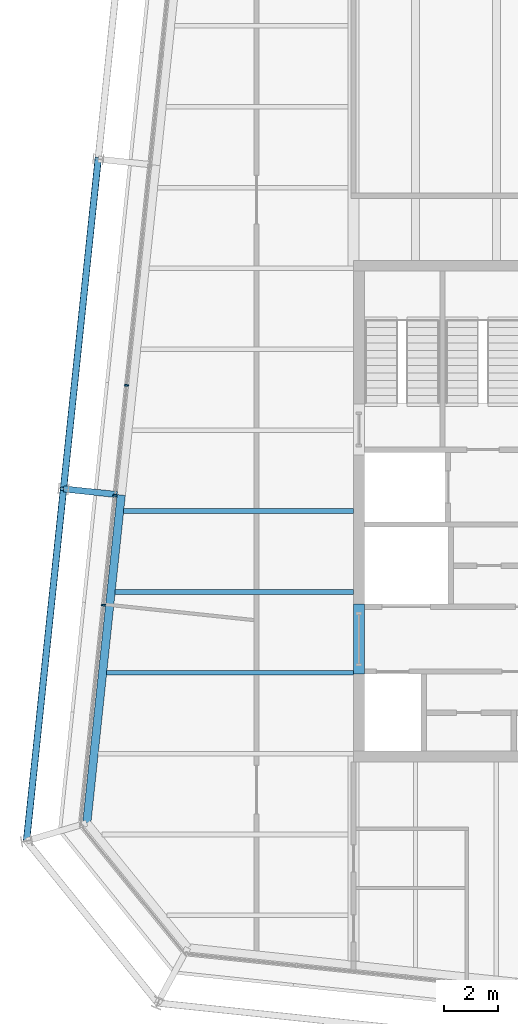
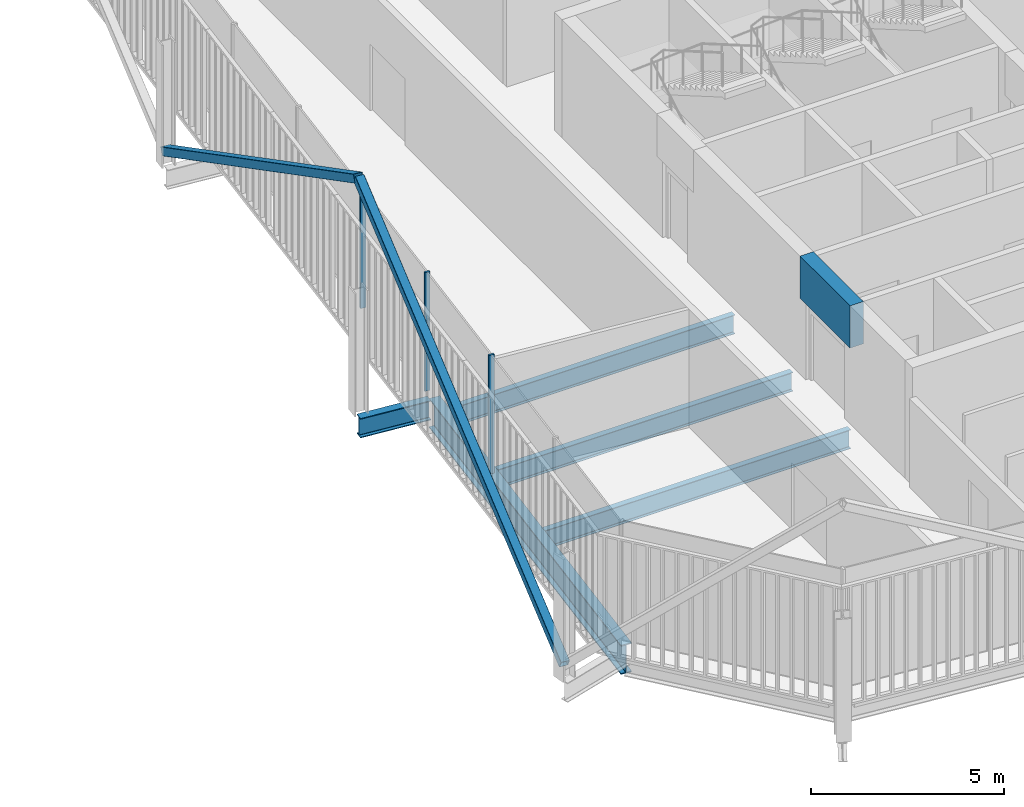
# One storey, part 6 of 21: 6 beams, 5 members, 1 element without a shape of its own.
"""IFC4 building model written with IfcOpenShell, lengths in metres."""

from ifc_helpers import new_model, si_unit, direction, frame, origin, origin_2d, place, context, subcontext, project, spatial, rectangle, hollow_rectangle, i_section, extrude, material, layer, layer_set, material_profile, profile_set, type_object, element, aggregate, save


model = new_model("IFC4")

# Units and contexts
model_context = context("Model", 3, precision=1e-05, world=origin(), true_north=direction((0.0, 1.0)))
body_context = subcontext(model_context, "Body", "Model", "MODEL_VIEW")
ifc_project = project(units=[si_unit("LENGTHUNIT", "METRE"), si_unit("AREAUNIT", "SQUARE_METRE"), si_unit("VOLUMEUNIT", "CUBIC_METRE"), si_unit("PLANEANGLEUNIT", "RADIAN"), si_unit("MASSUNIT", "GRAM", prefix="KILO")], contexts=[model_context])

# Site, building, storey
site_placement = place(None, origin())
site = spatial("IfcSite", under=ifc_project, at=site_placement, CompositionType="ELEMENT")
building_placement = place(site_placement, origin())
building = spatial("IfcBuilding", under=site, at=building_placement, Name="Millrace Tower", CompositionType="ELEMENT")
storey_placement = place(building_placement, frame((0.0, 0.0, 326.5)))
storey = spatial("IfcBuildingStorey", under=building, at=storey_placement, Name="L75", CompositionType="ELEMENT", Elevation=326.5)

# Curtain wall, members
ifc_material_1 = material(Name="Aluminium and glass", Category="aluminium")
ifc_layer = layer(ifc_material_1, 0.14990234375)
ifc_layer_set = layer_set([ifc_layer], Name="Aluminium and glass")
curtain_wall_type = type_object("IfcCurtainWallType", Name="CW-1 office vision curtain wall", PredefinedType="NOTDEFINED", material=ifc_layer_set)
curtain_wall_placement = place(storey_placement, origin())
curtain_wall = element("IfcCurtainWall", 1, at=curtain_wall_placement, inside=storey, type_object=curtain_wall_type, Name="Curtain wall E-F08 L75", PredefinedType="NOTDEFINED")
ifc_material_2 = material(Name="Aluminium", Category="aluminium")
ifc_material_profile_1 = material_profile(ifc_material_2, rectangle(XDim=0.06494140625, YDim=0.14990234375, at=origin_2d()))
ifc_profile_set_1 = profile_set([ifc_material_profile_1], Name="Aluminium")
member_type_1 = type_object("IfcMemberType", Name="CW-1 office vision curtain wall mullion", PredefinedType="MULLION", material=ifc_profile_set_1)
member_1_placement = place(storey_placement, frame((-22.717529296875, 4.664794921875, 0.139892578125), z_axis=(0.0, 0.0, 1.0), x_axis=(-0.104528455196, -0.994521896217, 0.0)))
member_1 = element("IfcMember", 2, at=member_1_placement, type_object=member_type_1, Name="CW1 mullion E-F08.6", PredefinedType="MULLION", context=body_context, shape_type="SweptSolid", body=[
    extrude(rectangle(XDim=0.06494140625, YDim=0.14990234375, at=origin_2d()), origin(), (0.0, 0.0, 1.0), 3.760009765625),
])
member_2_placement = place(storey_placement, frame((-23.146240234375, 0.587158203125, 0.139892578125), z_axis=(0.0, 0.0, 1.0), x_axis=(-0.104528455196, -0.994521896217, 0.0)))
member_2 = element("IfcMember", 3, at=member_2_placement, type_object=member_type_1, Name="CW1 mullion E-F08.7", PredefinedType="MULLION", context=body_context, shape_type="SweptSolid", body=[
    extrude(rectangle(XDim=0.06494140625, YDim=0.14990234375, at=origin_2d()), origin(), (0.0, 0.0, 1.0), 3.760009765625),
])
member_3_placement = place(storey_placement, frame((-23.57470703125, -3.490234375, 0.139892578125), z_axis=(0.0, 0.0, 1.0), x_axis=(-0.104528455196, -0.994521896217, 0.0)))
member_3 = element("IfcMember", 4, at=member_3_placement, type_object=member_type_1, Name="CW1 mullion E-F08.8", PredefinedType="MULLION", context=body_context, shape_type="SweptSolid", body=[
    extrude(rectangle(XDim=0.06494140625, YDim=0.14990234375, at=origin_2d()), origin(), (0.0, 0.0, 1.0), 3.760009765625),
])
aggregate(curtain_wall, [member_1, member_2, member_3])

# Beam
ifc_material_3 = material(Name="Concrete C60", Category="concrete")
ifc_material_profile_2 = material_profile(ifc_material_3, rectangle(XDim=0.39990234375, YDim=1.340087890625, at=origin_2d()))
ifc_profile_set_2 = profile_set([ifc_material_profile_2], Name="Concrete C60")
beam_type_1 = type_object("IfcBeamType", Name="Coupling beam 400 x 1340 Concrete C60, 2000 opening", PredefinedType="BEAM", material=ifc_profile_set_2)
beam_1_placement = place(storey_placement, frame((-14.10009765625, -6.050048828125, 3.070068359375), z_axis=(0.0, 1.0, 0.0), x_axis=(-1.0, 0.0, 0.0)))
element("IfcBeam", 5, at=beam_1_placement, inside=storey, type_object=beam_type_1, Name="Coupling beam W L75", PredefinedType="BEAM", context=body_context, shape_type="SweptSolid", body=[
    extrude(rectangle(XDim=0.39990234375, YDim=1.340087890625, at=origin_2d()), origin(), (0.0, 0.0, 1.0), 2.60009765625),
])

# Members
ifc_material_4 = material(Name="Steel ASTM A500 Grade C", Category="steel")
ifc_material_profile_3 = material_profile(ifc_material_4, hollow_rectangle(XDim=0.25390625, YDim=0.25390625, WallThickness=0.009521484375, InnerFilletRadius=0.004638671875, OuterFilletRadius=0.014404296875, at=origin_2d()))
ifc_profile_set_3 = profile_set([ifc_material_profile_3], Name="Steel ASTM A500 Grade C")
member_type_2 = type_object("IfcMemberType", Name="Exoskeleton brace HSS10x10x3/8", PredefinedType="BRACE", material=ifc_profile_set_3)
member_4_placement = place(storey_placement, frame((-23.771484375, 13.053466796875, 0.39990234375), z_axis=(-0.090859841027, -0.864350167962, 0.494614270348), x_axis=(0.994520342986, -0.104543232143, 0.0)))
element("IfcMember", 6, at=member_4_placement, inside=storey, type_object=member_type_2, Name="BRC-E-L75-15", PredefinedType="BRACE", context=body_context, shape_type="SweptSolid", body=[
    extrude(hollow_rectangle(XDim=0.25390625, YDim=0.25390625, WallThickness=0.009521484375, InnerFilletRadius=0.004638671875, OuterFilletRadius=0.014404296875, at=origin_2d()), origin(), (0.0, 0.0, 1.0), 14.15234375),
])
member_5_placement = place(storey_placement, frame((-26.429443359375, -12.23583984375, 0.39990234375), z_axis=(0.092220680702, 0.877573310314, 0.47048956532), x_axis=(-0.994523779096, 0.104510539239, 0.0)))
element("IfcMember", 7, at=member_5_placement, inside=storey, type_object=member_type_2, Name="BRC-E-L75-16", PredefinedType="BRACE", context=body_context, shape_type="SweptSolid", body=[
    extrude(hollow_rectangle(XDim=0.25390625, YDim=0.25390625, WallThickness=0.009521484375, InnerFilletRadius=0.004638671875, OuterFilletRadius=0.014404296875, at=origin_2d()), origin(), (0.0, 0.0, 1.0), 14.878173828125),
])

# Beams
ifc_material_5 = material(Name="Steel ASTM A992 Grade 50", Category="steel")
ifc_material_profile_4 = material_profile(ifc_material_5, i_section(OverallWidth=0.177978515625, OverallDepth=0.599365234375, WebThickness=0.010009765625, FlangeThickness=0.012939453125, FilletRadius=0.012939453125, at=origin_2d()))
ifc_profile_set_4 = profile_set([ifc_material_profile_4], Name="Steel ASTM A992 Grade 50")
beam_type_2 = type_object("IfcBeamType", Name="Floor beam W24x55", PredefinedType="JOIST", material=ifc_profile_set_4)
beam_2_placement = place(storey_placement, frame((-23.4541015625, -6.0, -0.459716796875), z_axis=(1.0, 0.0, 0.0), x_axis=(0.0, 1.0, 0.0)))
element("IfcBeam", 8, at=beam_2_placement, inside=storey, type_object=beam_type_2, Name="BM-E-L75-S1-S009", PredefinedType="JOIST", context=body_context, shape_type="SweptSolid", body=[
    extrude(i_section(OverallWidth=0.177978515625, OverallDepth=0.599365234375, WebThickness=0.010009765625, FlangeThickness=0.012939453125, FilletRadius=0.012939453125, at=origin_2d()), origin(), (0.0, 0.0, 1.0), 9.154052734375),
])
beam_3_placement = place(storey_placement, frame((-23.138916015625, -3.0, -0.459716796875), z_axis=(1.0, 0.0, 0.0), x_axis=(0.0, 1.0, 0.0)))
element("IfcBeam", 9, at=beam_3_placement, inside=storey, type_object=beam_type_2, Name="BM-E-L75-S1-S012", PredefinedType="JOIST", context=body_context, shape_type="SweptSolid", body=[
    extrude(i_section(OverallWidth=0.177978515625, OverallDepth=0.599365234375, WebThickness=0.010009765625, FlangeThickness=0.012939453125, FilletRadius=0.012939453125, at=origin_2d()), origin(), (0.0, 0.0, 1.0), 8.8388671875),
])
beam_4_placement = place(storey_placement, frame((-22.823486328125, 0.0, -0.459716796875), z_axis=(1.0, 0.0, 0.0), x_axis=(0.0, 1.0, 0.0)))
element("IfcBeam", 10, at=beam_4_placement, inside=storey, type_object=beam_type_2, Name="BM-E-L75-S1-S015", PredefinedType="JOIST", context=body_context, shape_type="SweptSolid", body=[
    extrude(i_section(OverallWidth=0.177978515625, OverallDepth=0.599365234375, WebThickness=0.010009765625, FlangeThickness=0.012939453125, FilletRadius=0.012939453125, at=origin_2d()), origin(), (0.0, 0.0, 1.0), 8.5234375),
])
ifc_material_6 = material(Name="Steel ASTM A992 Grade 50", Category="steel")
ifc_material_profile_5 = material_profile(ifc_material_6, i_section(OverallWidth=0.23046875, OverallDepth=0.6171875, WebThickness=0.01318359375, FlangeThickness=0.022216796875, FilletRadius=0.012939453125, at=origin_2d()))
ifc_profile_set_5 = profile_set([ifc_material_profile_5], Name="Steel ASTM A992 Grade 50")
beam_type_3 = type_object("IfcBeamType", Name="Link beam W24x94", PredefinedType="BEAM", material=ifc_profile_set_5)
beam_5_placement = place(storey_placement, frame((-23.068115234375, 0.61181640625, -0.468505859375), z_axis=(-0.994526834051, 0.104481464157, 0.0), x_axis=(-0.104481464157, -0.994526834051, 0.0)))
element("IfcBeam", 11, at=beam_5_placement, inside=storey, type_object=beam_type_3, Name="LNK-E-L75-S1-02", PredefinedType="BEAM", context=body_context, shape_type="SweptSolid", body=[
    extrude(i_section(OverallWidth=0.23046875, OverallDepth=0.6171875, WebThickness=0.01318359375, FlangeThickness=0.022216796875, FilletRadius=0.012939453125, at=origin_2d()), origin(), (0.0, 0.0, 1.0), 2.000244140625),
])
ifc_material_7 = material(Name="Steel ASTM A992 Grade 50", Category="steel")
ifc_material_profile_6 = material_profile(ifc_material_7, i_section(OverallWidth=0.307373046875, OverallDepth=0.927001953125, WebThickness=0.01953125, FlangeThickness=0.031982421875, FilletRadius=0.01904296875, at=origin_2d()))
ifc_profile_set_6 = profile_set([ifc_material_profile_6], Name="Steel ASTM A992 Grade 50")
beam_type_4 = type_object("IfcBeamType", Name="Ring beam medium span W36x194", PredefinedType="SPANDREL", material=ifc_profile_set_6)
beam_6_placement = place(storey_placement, frame((-24.1943359375, -11.57373046875, -0.62353515625), z_axis=(0.104527955888, 0.994521948696, 0.0), x_axis=(-0.994521948696, 0.104527955888, 0.0)))
element("IfcBeam", 12, at=beam_6_placement, inside=storey, type_object=beam_type_4, Name="RNG-E-L75-S1-01", PredefinedType="SPANDREL", context=body_context, shape_type="SweptSolid", body=[
    extrude(i_section(OverallWidth=0.307373046875, OverallDepth=0.927001953125, WebThickness=0.01953125, FlangeThickness=0.031982421875, FilletRadius=0.01904296875, at=origin_2d()), origin(), (0.0, 0.0, 1.0), 12.236572265625),
])

save(model, "model.ifc")
